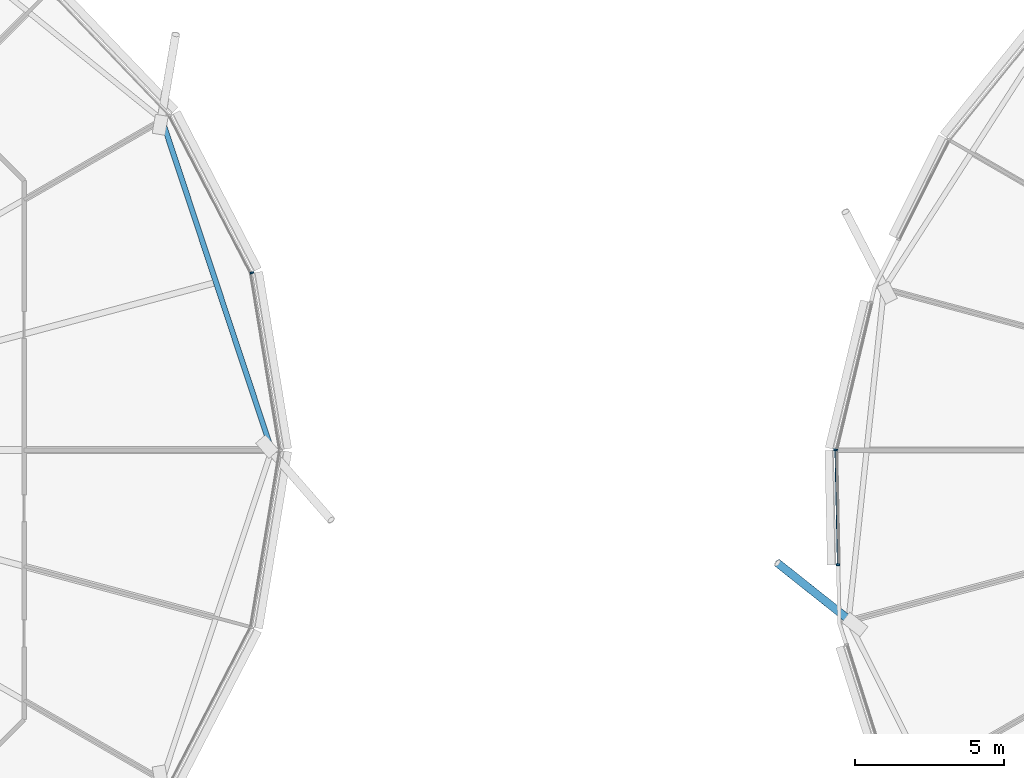
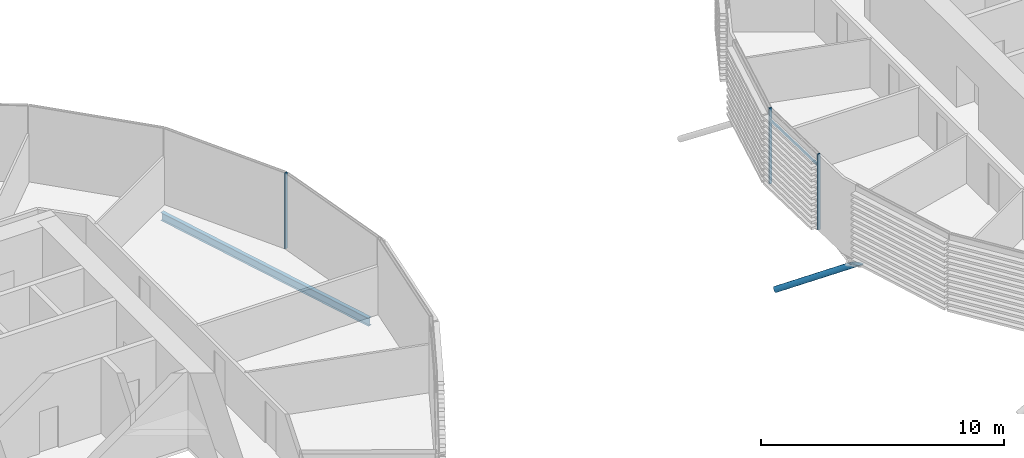
# One storey, part 8 of 37: 5 members, 1 beam, 2 elements without a shape of their own.
"""IFC4 building model written with IfcOpenShell, lengths in metres."""

from ifc_helpers import new_model, si_unit, direction, frame, origin, origin_2d, place, context, subcontext, project, spatial, rectangle, hollow_circle, i_section, extrude, clip, halfspace, material, material_profile, profile_set, type_object, element, aggregate, save


model = new_model("IFC4")

# Units and contexts
model_context = context("Model", 3, precision=1e-05, world=origin(), true_north=direction((0.0, 1.0)))
body_context = subcontext(model_context, "Body", "Model", "MODEL_VIEW")
ifc_project = project(units=[si_unit("LENGTHUNIT", "METRE"), si_unit("AREAUNIT", "SQUARE_METRE"), si_unit("VOLUMEUNIT", "CUBIC_METRE"), si_unit("PLANEANGLEUNIT", "RADIAN"), si_unit("MASSUNIT", "GRAM", prefix="KILO")], contexts=[model_context])

# Site, building, storey
site_placement = place(None, origin())
site = spatial("IfcSite", under=ifc_project, at=site_placement, CompositionType="ELEMENT")
building_placement = place(site_placement, origin())
building = spatial("IfcBuilding", under=site, at=building_placement, Name="Rimbun Link Towers", CompositionType="ELEMENT")
storey_placement = place(building_placement, frame((0.0, 0.0, 60.39990234375)))
storey = spatial("IfcBuildingStorey", under=building, at=storey_placement, Name="L14", CompositionType="ELEMENT", Elevation=60.39990234375)

# Curtain wall, member
ifc_material_1 = material(Name="Aluminium 6063-T6 and low-iron glass", Category="aluminium")
curtain_wall_type = type_object("IfcCurtainWallType", Name="CW1 unitised vision wall", PredefinedType="NOTDEFINED", material=ifc_material_1)
curtain_wall_1_placement = place(storey_placement, origin())
curtain_wall_1 = element("IfcCurtainWall", 1, at=curtain_wall_1_placement, inside=storey, type_object=curtain_wall_type, Name="CW1 L14 T1", PredefinedType="NOTDEFINED")
ifc_material_2 = material(Name="Aluminium 6063-T6", Category="aluminium")
ifc_material_profile_1 = material_profile(ifc_material_2, rectangle(XDim=0.1201171875, YDim=0.06005859375, at=origin_2d()), Name="MULLION 60X120")
ifc_profile_set_1 = profile_set([ifc_material_profile_1], Name="Aluminium 6063-T6")
member_type_1 = type_object("IfcMemberType", Name="CW1 mullion 60X120", PredefinedType="MULLION", material=ifc_profile_set_1)
member_1_placement = place(storey_placement, frame((-9.595703125, 5.93994140625, 0.0), z_axis=(0.0, 0.0, 1.0), x_axis=(0.9491617925, 0.314788646011, 0.0)))
member_1 = element("IfcMember", 2, at=member_1_placement, type_object=member_type_1, Name="CW1 mullion", PredefinedType="MULLION", context=body_context, shape_type="SweptSolid", body=[
    extrude(rectangle(XDim=0.1201171875, YDim=0.06005859375, at=origin_2d()), origin(), (0.0, 0.0, 1.0), 3.800048828125),
])
aggregate(curtain_wall_1, [member_1])

# Curtain wall, members
curtain_wall_2_placement = place(storey_placement, origin())
curtain_wall_2 = element("IfcCurtainWall", 3, at=curtain_wall_2_placement, inside=storey, type_object=curtain_wall_type, Name="CW1 L14 T2", PredefinedType="NOTDEFINED")
member_2_placement = place(storey_placement, frame((9.9599609375, 0.00634765625, 0.0), z_axis=(0.0, 0.0, 1.0), x_axis=(-0.994297747916, 0.106639525927, 0.0)))
member_2 = element("IfcMember", 4, at=member_2_placement, type_object=member_type_1, Name="CW1 mullion", PredefinedType="MULLION", context=body_context, shape_type="SweptSolid", body=[
    extrude(rectangle(XDim=0.1201171875, YDim=0.06005859375, at=origin_2d()), origin(), (0.0, 0.0, 1.0), 3.800048828125),
])
member_3_placement = place(storey_placement, frame((10.04052734375, -3.841552734375, 0.0), z_axis=(0.0, 0.0, 1.0), x_axis=(-0.999778076675, -0.02106649948, 0.0)))
member_3 = element("IfcMember", 5, at=member_3_placement, type_object=member_type_1, Name="CW1 mullion", PredefinedType="MULLION", context=body_context, shape_type="SweptSolid", body=[
    extrude(rectangle(XDim=0.1201171875, YDim=0.06005859375, at=origin_2d()), origin(), (0.0, 0.0, 1.0), 3.800048828125),
])
ifc_material_3 = material(Name="Aluminium 6063-T6", Category="aluminium")
ifc_material_profile_2 = material_profile(ifc_material_3, rectangle(XDim=0.06005859375, YDim=0.1201171875, at=origin_2d()), Name="TRANSOM 60X120")
ifc_profile_set_2 = profile_set([ifc_material_profile_2], Name="Aluminium 6063-T6")
member_type_2 = type_object("IfcMemberType", Name="CW1 transom 60X120", PredefinedType="USERDEFINED", material=ifc_profile_set_2)
member_4_placement = place(storey_placement, frame((10.0419921875, -3.8115234375, 3.2001953125), z_axis=(-0.02104932646, 0.999778438383, 0.0), x_axis=(-0.999778438383, -0.02104932646, 0.0)))
member_4 = element("IfcMember", 6, at=member_4_placement, type_object=member_type_2, Name="CW1 transom", ObjectType="TRANSOM", PredefinedType="USERDEFINED", context=body_context, shape_type="SweptSolid", body=[
    extrude(rectangle(XDim=0.06005859375, YDim=0.1201171875, at=origin_2d()), origin(), (0.0, 0.0, 1.0), 3.781005859375),
])
aggregate(curtain_wall_2, [member_2, member_3, member_4])

# Member
ifc_material_4 = material(Name="Steel S355J2H", Category="steel")
ifc_material_profile_3 = material_profile(ifc_material_4, hollow_circle(Radius=0.136474609375, WallThickness=0.012451171875, at=origin_2d()), Name="CHS 273x12.5")
ifc_profile_set_3 = profile_set([ifc_material_profile_3], Name="Steel S355J2H")
member_type_3 = type_object("IfcMemberType", Name="Floor edge link CHS 273x12.5", PredefinedType="BRACE", material=ifc_profile_set_3)
member_5_placement = place(storey_placement, frame((10.438720703125, -5.71044921875, -0.81591796875), z_axis=(-0.703197573757, 0.558796589463, -0.439612947793), x_axis=(-0.622138143109, -0.782907485524, 0.0)))
element("IfcMember", 7, at=member_5_placement, inside=storey, type_object=member_type_3, Name="Floor edge link T2 L14 10", PredefinedType="BRACE", context=body_context, shape_type="Clipping", body=[
    clip(extrude(hollow_circle(Radius=0.136474609375, WallThickness=0.012451171875, at=origin_2d()), frame((0.0, 0.0, -0.58056640625)), (0.0, 0.0, 1.0), 4.04638671875), halfspace(frame((0.0, 0.0, -0.275146484375), z_axis=(0.0, 0.89818731684, -0.439612947793)), False)),
])

# Beam
ifc_material_5 = material(Name="Steel S355J2", Category="steel")
ifc_material_profile_4 = material_profile(ifc_material_5, i_section(OverallWidth=0.177978515625, OverallDepth=0.406494140625, WebThickness=0.0078125, FlangeThickness=0.0126953125, at=origin_2d()), Name="UB 406x178x60")
ifc_profile_set_4 = profile_set([ifc_material_profile_4], Name="Steel S355J2")
beam_type = type_object("IfcBeamType", Name="UB 406x178x60", PredefinedType="BEAM", material=ifc_profile_set_4)
beam_placement = place(storey_placement, frame((-8.970458984375, 0.11474609375, -0.363037109375), z_axis=(-0.31479844704, 0.949158541942, 0.0), x_axis=(-0.949158541942, -0.31479844704, 0.0)))
element("IfcBeam", 8, at=beam_placement, inside=storey, type_object=beam_type, Name="Edge beam T1 L14 00-02", PredefinedType="BEAM", context=body_context, shape_type="SweptSolid", body=[
    extrude(i_section(OverallWidth=0.177978515625, OverallDepth=0.406494140625, WebThickness=0.0078125, FlangeThickness=0.0126953125, at=origin_2d()), origin(), (0.0, 0.0, 1.0), 11.429931640625),
])

save(model, "model.ifc")
